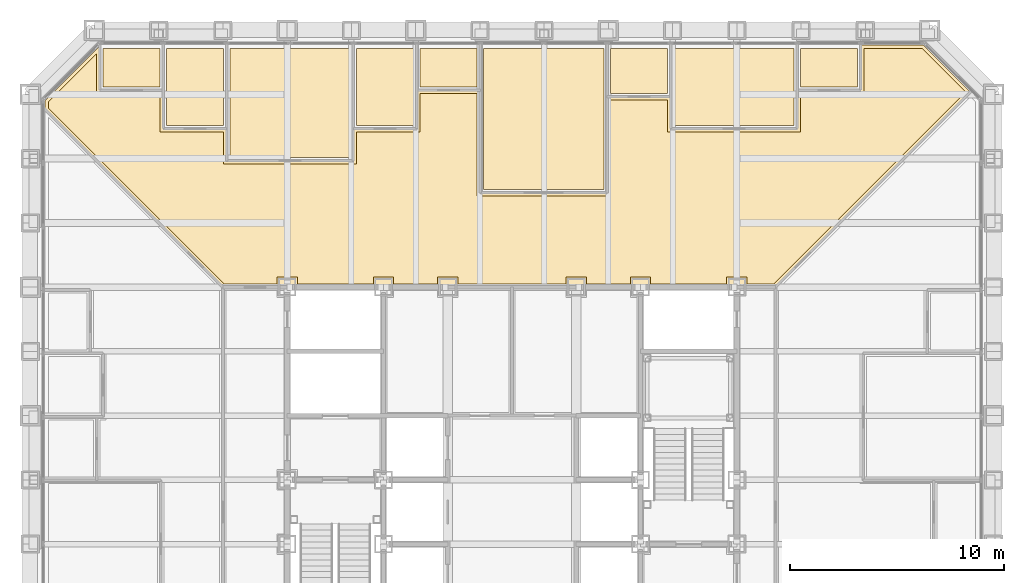
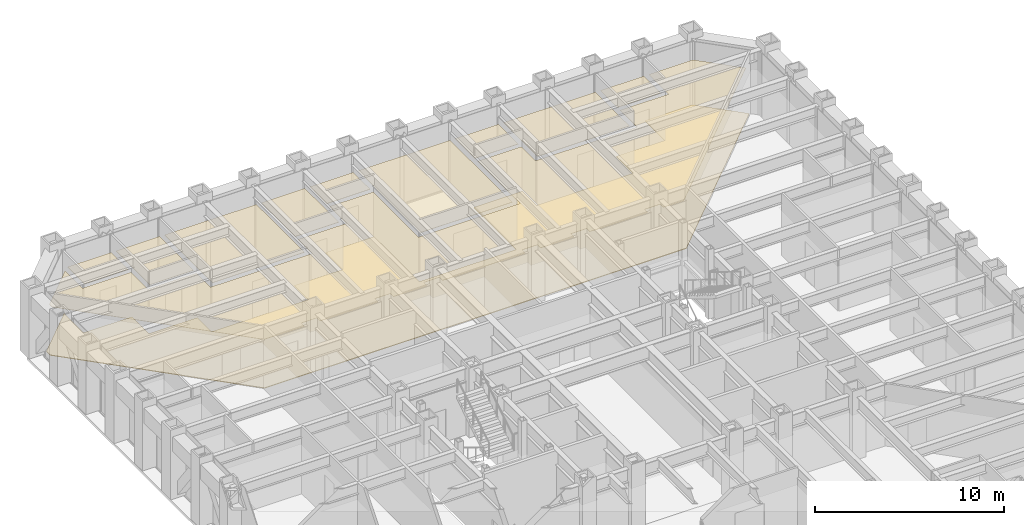
# One storey, part 17 of 17: 11 coverings.
"""IFC4 building model written with IfcOpenShell, lengths in metres."""

from ifc_helpers import new_model, si_unit, direction, frame, origin, place, context, subcontext, project, spatial, polyline, outline, extrude, material, layer, layer_set, type_object, element, save


model = new_model("IFC4")

# Units and contexts
model_context = context("Model", 3, precision=1e-05, world=origin(), true_north=direction((0.0, 1.0)))
body_context = subcontext(model_context, "Body", "Model", "MODEL_VIEW")
ifc_project = project(units=[si_unit("LENGTHUNIT", "METRE"), si_unit("AREAUNIT", "SQUARE_METRE"), si_unit("VOLUMEUNIT", "CUBIC_METRE"), si_unit("PLANEANGLEUNIT", "RADIAN"), si_unit("MASSUNIT", "GRAM", prefix="KILO")], contexts=[model_context])

# Site, building, storey
site_placement = place(None, origin())
site = spatial("IfcSite", under=ifc_project, at=site_placement, CompositionType="ELEMENT")
building_placement = place(site_placement, origin())
building = spatial("IfcBuilding", under=site, at=building_placement, Name="Chuquiago Exchange Tower", CompositionType="ELEMENT")
storey_placement = place(building_placement, frame((0.0, 0.0, 87.300048828125)))
storey = spatial("IfcBuildingStorey", under=building, at=storey_placement, Name="L18", CompositionType="ELEMENT", Elevation=87.300048828125)

# Coverings
ifc_material_1 = material(Name="Mineral fibre tile, 600 x 600, on pale metal grid", Category="mineral fibre")
ifc_layer_1 = layer(ifc_material_1, 0.02001953125)
ifc_layer_set_1 = layer_set([ifc_layer_1], Name="CL1 suspended tile ceiling 20")
covering_type_1 = type_object("IfcCoveringType", Name="CL1 suspended tile ceiling 20", PredefinedType="CEILING", material=ifc_layer_set_1)
covering_1_placement = place(storey_placement, frame((0.0, 0.0, 3.0)))
element("IfcCovering", 1, at=covering_1_placement, inside=storey, type_object=covering_type_1, Name="Ceiling Focus room", PredefinedType="CEILING", context=body_context, shape_type="SweptSolid", body=[
    extrude(outline(polyline([(6.060302734375, 44.14990234375), (6.060302734375, 42.35009765625), (3.3984375, 42.35009765625), (3.3984375, 44.14990234375), (6.060302734375, 44.14990234375)])), origin(), (0.0, 0.0, 1.0), 0.02001953125),
])
covering_2_placement = place(storey_placement, frame((0.0, 0.0, 3.0)))
element("IfcCovering", 2, at=covering_2_placement, inside=storey, type_object=covering_type_1, Name="Ceiling Meeting room", PredefinedType="CEILING", context=body_context, shape_type="SweptSolid", body=[
    extrude(outline(polyline([(9.022216796875, 40.550048828125), (6.3603515625, 40.550048828125), (6.3603515625, 44.14990234375), (9.022216796875, 44.14990234375), (9.022216796875, 40.550048828125)])), origin(), (0.0, 0.0, 1.0), 0.02001953125),
])
covering_3_placement = place(storey_placement, frame((0.0, 0.0, 3.0)))
element("IfcCovering", 3, at=covering_3_placement, inside=storey, type_object=covering_type_1, Name="Ceiling Research office", PredefinedType="CEILING", context=body_context, shape_type="SweptSolid", body=[
    extrude(outline(polyline([(14.945556640625, 39.050048828125), (9.322021484375, 39.050048828125), (9.322021484375, 44.14990234375), (14.945556640625, 44.14990234375), (14.945556640625, 39.050048828125)])), origin(), (0.0, 0.0, 1.0), 0.02001953125),
])
covering_4_placement = place(storey_placement, frame((0.0, 0.0, 3.0)))
element("IfcCovering", 4, at=covering_4_placement, inside=storey, type_object=covering_type_1, Name="Ceiling Office", PredefinedType="CEILING", context=body_context, shape_type="SweptSolid", body=[
    extrude(outline(polyline([(17.907470703125, 40.550048828125), (15.24560546875, 40.550048828125), (15.24560546875, 44.14990234375), (17.907470703125, 44.14990234375), (17.907470703125, 40.550048828125)])), origin(), (0.0, 0.0, 1.0), 0.02001953125),
])
covering_5_placement = place(storey_placement, frame((0.0, 0.0, 3.0)))
element("IfcCovering", 5, at=covering_5_placement, inside=storey, type_object=covering_type_1, Name="Ceiling Focus room", PredefinedType="CEILING", context=body_context, shape_type="SweptSolid", body=[
    extrude(outline(polyline([(20.869140625, 42.35009765625), (18.20751953125, 42.35009765625), (18.20751953125, 44.14990234375), (20.869140625, 44.14990234375), (20.869140625, 42.35009765625)])), origin(), (0.0, 0.0, 1.0), 0.02001953125),
])
covering_6_placement = place(storey_placement, frame((0.0, 0.0, 3.0)))
element("IfcCovering", 6, at=covering_6_placement, inside=storey, type_object=covering_type_1, Name="Ceiling Training room", PredefinedType="CEILING", context=body_context, shape_type="SweptSolid", body=[
    extrude(outline(polyline([(26.79248046875, 37.550048828125), (21.169189453125, 37.550048828125), (21.169189453125, 44.14990234375), (26.79248046875, 44.14990234375), (26.79248046875, 37.550048828125)])), origin(), (0.0, 0.0, 1.0), 0.02001953125),
])
covering_7_placement = place(storey_placement, frame((0.0, 0.0, 3.0)))
element("IfcCovering", 7, at=covering_7_placement, inside=storey, type_object=covering_type_1, Name="Ceiling Store", PredefinedType="CEILING", context=body_context, shape_type="SweptSolid", body=[
    extrude(outline(polyline([(29.75439453125, 42.050048828125), (27.092529296875, 42.050048828125), (27.092529296875, 44.14990234375), (29.75439453125, 44.14990234375), (29.75439453125, 42.050048828125)])), origin(), (0.0, 0.0, 1.0), 0.02001953125),
])
covering_8_placement = place(storey_placement, frame((0.0, 0.0, 3.0)))
element("IfcCovering", 8, at=covering_8_placement, inside=storey, type_object=covering_type_1, Name="Ceiling Office", PredefinedType="CEILING", context=body_context, shape_type="SweptSolid", body=[
    extrude(outline(polyline([(35.677978515625, 40.550048828125), (30.054443359375, 40.550048828125), (30.054443359375, 44.14990234375), (35.677978515625, 44.14990234375), (35.677978515625, 40.550048828125)])), origin(), (0.0, 0.0, 1.0), 0.02001953125),
])
covering_9_placement = place(storey_placement, frame((0.0, 0.0, 3.0)))
element("IfcCovering", 9, at=covering_9_placement, inside=storey, type_object=covering_type_1, Name="Ceiling Focus room", PredefinedType="CEILING", context=body_context, shape_type="SweptSolid", body=[
    extrude(outline(polyline([(38.6396484375, 42.35009765625), (35.977783203125, 42.35009765625), (35.977783203125, 44.14990234375), (38.6396484375, 44.14990234375), (38.6396484375, 42.35009765625)])), origin(), (0.0, 0.0, 1.0), 0.02001953125),
])
covering_10_placement = place(storey_placement, frame((0.0, 0.0, 3.0)))
element("IfcCovering", 10, at=covering_10_placement, inside=storey, type_object=covering_type_1, Name="Ceiling Trading floor north", PredefinedType="CEILING", context=body_context, shape_type="SweptSolid", body=[
    extrude(outline(polyline([(3.098388671875, 43.896484375), (3.098388671875, 42.050048828125), (6.060302734375, 42.050048828125), (6.060302734375, 40.25), (9.022216796875, 40.25), (9.022216796875, 38.75), (15.24560546875, 38.75), (15.24560546875, 40.25), (18.20751953125, 40.25), (18.20751953125, 42.050048828125), (20.869140625, 42.050048828125), (20.869140625, 37.25), (27.092529296875, 37.25), (27.092529296875, 41.75), (29.75439453125, 41.75), (29.75439453125, 40.25), (35.977783203125, 40.25), (35.977783203125, 42.050048828125), (38.939697265625, 42.050048828125), (38.939697265625, 44.14990234375), (41.64794921875, 44.14990234375), (43.692626953125, 42.10546875), (34.7373046875, 33.14990234375), (33.47509765625, 33.14990234375), (33.47509765625, 33.47509765625), (32.52490234375, 33.47509765625), (32.52490234375, 33.14990234375), (28.97509765625, 33.14990234375), (28.97509765625, 33.47509765625), (28.02490234375, 33.47509765625), (28.02490234375, 33.14990234375), (25.97509765625, 33.14990234375), (25.97509765625, 33.47509765625), (25.02490234375, 33.47509765625), (25.02490234375, 33.14990234375), (19.97509765625, 33.14990234375), (19.97509765625, 33.47509765625), (19.02490234375, 33.47509765625), (19.02490234375, 33.14990234375), (16.97509765625, 33.14990234375), (16.97509765625, 33.47509765625), (16.02490234375, 33.47509765625), (16.02490234375, 33.14990234375), (12.47509765625, 33.14990234375), (12.47509765625, 33.47509765625), (11.52490234375, 33.47509765625), (11.52490234375, 33.14990234375), (9.0625, 33.14990234375), (0.85009765625, 41.36279296875), (0.85009765625, 41.64794921875), (3.098388671875, 43.896484375)])), origin(), (0.0, 0.0, 1.0), 0.02001953125),
])
ifc_material_2 = material(Name="Steel raised floor panel", Category="steel")
ifc_layer_2 = layer(ifc_material_2, 0.0400390625)
ifc_layer_set_2 = layer_set([ifc_layer_2], Name="RF1 raised access floor 40")
covering_type_2 = type_object("IfcCoveringType", Name="RF1 raised access floor 40", PredefinedType="FLOORING", material=ifc_layer_set_2)
covering_11_placement = place(storey_placement, frame((0.0, 0.0, -0.0400390625)))
element("IfcCovering", 11, at=covering_11_placement, inside=storey, type_object=covering_type_2, Name="Raised access floor Trading floor north", PredefinedType="FLOORING", context=body_context, shape_type="SweptSolid", body=[
    extrude(outline(polyline([(0.699951171875, 41.710205078125), (3.289794921875, 44.300048828125), (3.24853515625, 44.258544921875), (3.24853515625, 42.199951171875), (6.210205078125, 42.199951171875), (6.210205078125, 40.39990234375), (9.172119140625, 40.39990234375), (9.172119140625, 38.89990234375), (15.095703125, 38.89990234375), (15.095703125, 40.39990234375), (18.057373046875, 40.39990234375), (18.057373046875, 42.199951171875), (21.01904296875, 42.199951171875), (21.01904296875, 37.39990234375), (26.942626953125, 37.39990234375), (26.942626953125, 41.89990234375), (29.904296875, 41.89990234375), (29.904296875, 40.39990234375), (35.827880859375, 40.39990234375), (35.827880859375, 42.199951171875), (38.789794921875, 42.199951171875), (38.789794921875, 44.300048828125), (41.710205078125, 44.300048828125), (43.90478515625, 42.10546875), (34.799560546875, 33.0), (9.00048828125, 33.0), (0.699951171875, 41.30078125), (0.699951171875, 41.710205078125)])), origin(), (0.0, 0.0, 1.0), 0.0400390625),
])

save(model, "model.ifc")
